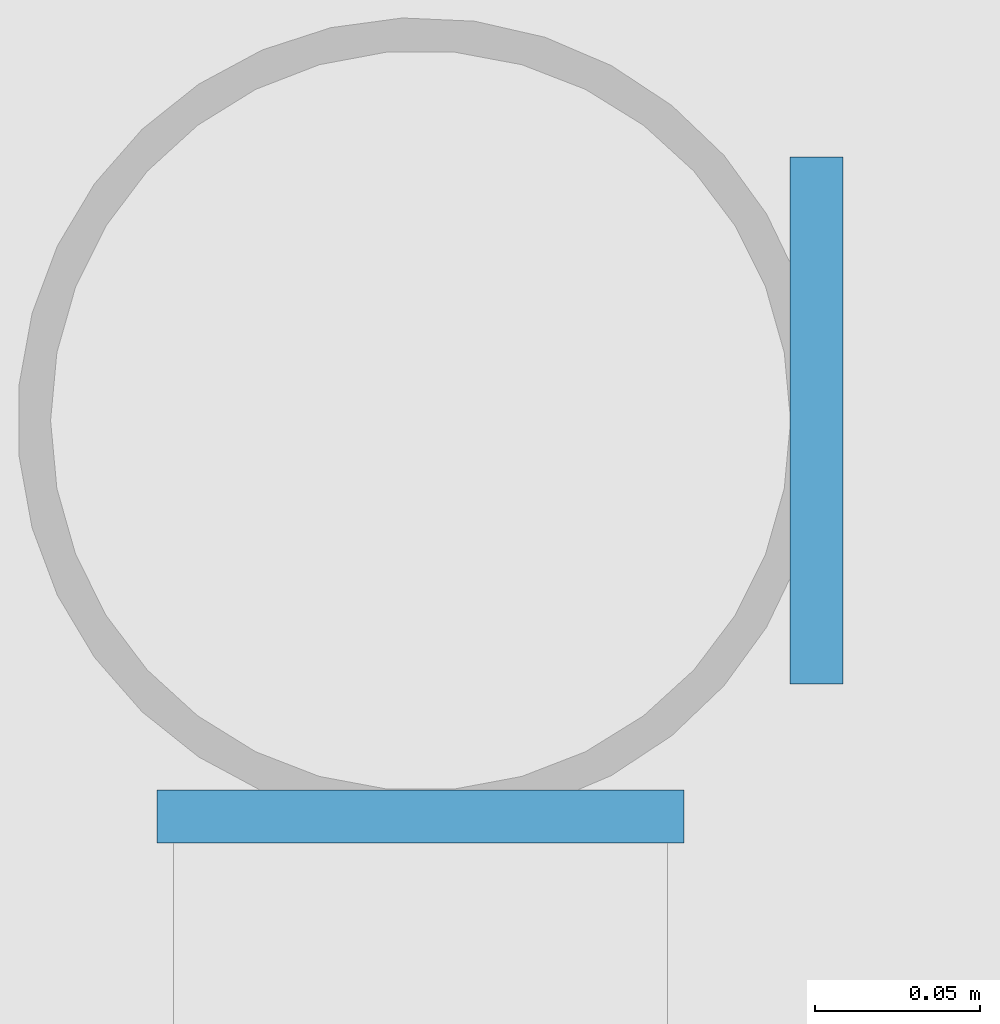
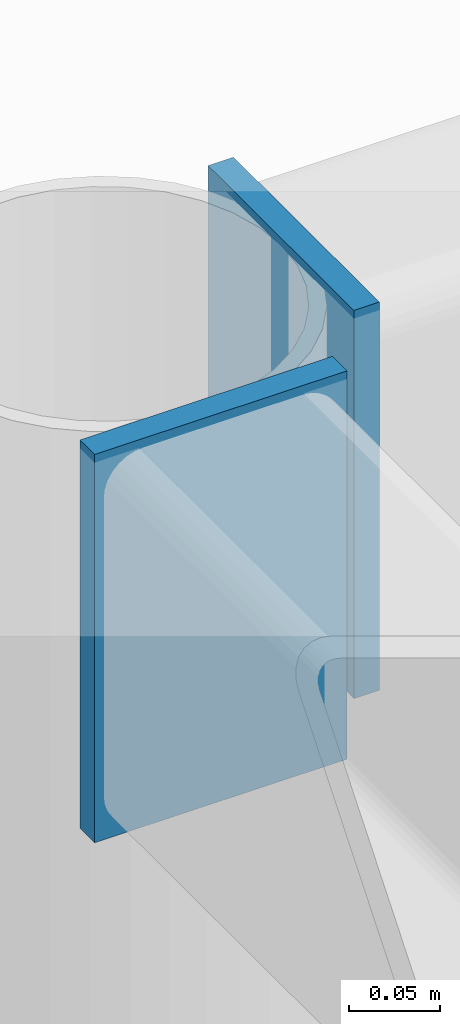
# One storey, part 47 of 76: 2 plates.
"""IFC4 building model written with IfcOpenShell, lengths in metres."""

from ifc_helpers import new_model, si_unit, direction, frame, origin, origin_2d, place, context, subcontext, project, spatial, rectangle, extrude, material, layer, layer_set, type_object, element, save


model = new_model("IFC4")

# Units and contexts
model_context = context("Model", 3, precision=1e-05, world=origin(), true_north=direction((0.0, 1.0)))
body_context = subcontext(model_context, "Body", "Model", "MODEL_VIEW")
ifc_project = project(units=[si_unit("LENGTHUNIT", "METRE"), si_unit("AREAUNIT", "SQUARE_METRE"), si_unit("VOLUMEUNIT", "CUBIC_METRE"), si_unit("PLANEANGLEUNIT", "RADIAN"), si_unit("MASSUNIT", "GRAM", prefix="KILO")], contexts=[model_context])

# Site, building, storey
site_placement = place(None, origin())
site = spatial("IfcSite", under=ifc_project, at=site_placement, CompositionType="ELEMENT")
building_placement = place(site_placement, origin())
building = spatial("IfcBuilding", under=site, at=building_placement, Name="Bozkorgan Art Gallery", CompositionType="ELEMENT")
storey_placement = place(building_placement, origin())
storey = spatial("IfcBuildingStorey", under=building, at=storey_placement, Name="L00", CompositionType="ELEMENT", Elevation=0.0)

# Plates
ifc_material = material(Name="Steel S355J2", Category="steel")
ifc_layer = layer(ifc_material, 0.01611328125, Name="Steel S355J2")
ifc_layer_set = layer_set([ifc_layer], Name="Steel S355J2")
plate_type = type_object("IfcPlateType", Name="PLATE-EC-14", PredefinedType="USERDEFINED", material=ifc_layer_set)
for number, where, z_axis, x_axis, name in (
    (1, (49.1201171875, 101.25, 4.044921875), (0.0, 0.0, 1.0), (-1.0, 0.0, 0.0), "North Sculpture-Court Covered Walk chord end cap 3.2"),
    (2, (49.0, 101.1298828125, 4.044921875), (0.0, 0.0, 1.0), (0.0, -1.0, 0.0), "North Sculpture-Court Covered Walk chord end cap 4.1"),
):
    element("IfcPlate", number, at=place(storey_placement, frame(where, z_axis=z_axis, x_axis=x_axis)), inside=storey, type_object=plate_type, Name=name, ObjectType="END CAP PLATE", PredefinedType="USERDEFINED", context=body_context, shape_type="SweptSolid", body=[
        extrude(rectangle(XDim=0.01611328125, YDim=0.159912109375, at=origin_2d()), origin(), (0.0, 0.0, 1.0), 0.260009765625),
    ])

save(model, "model.ifc")
